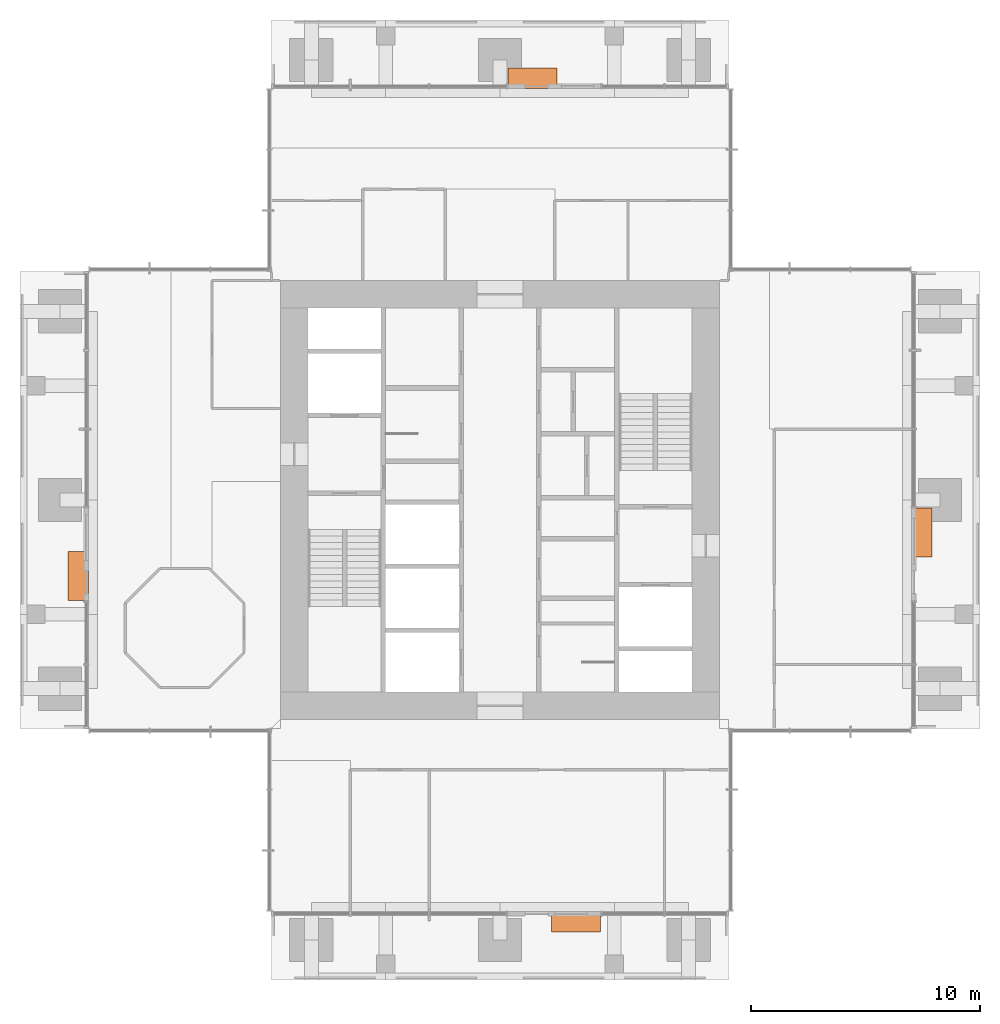
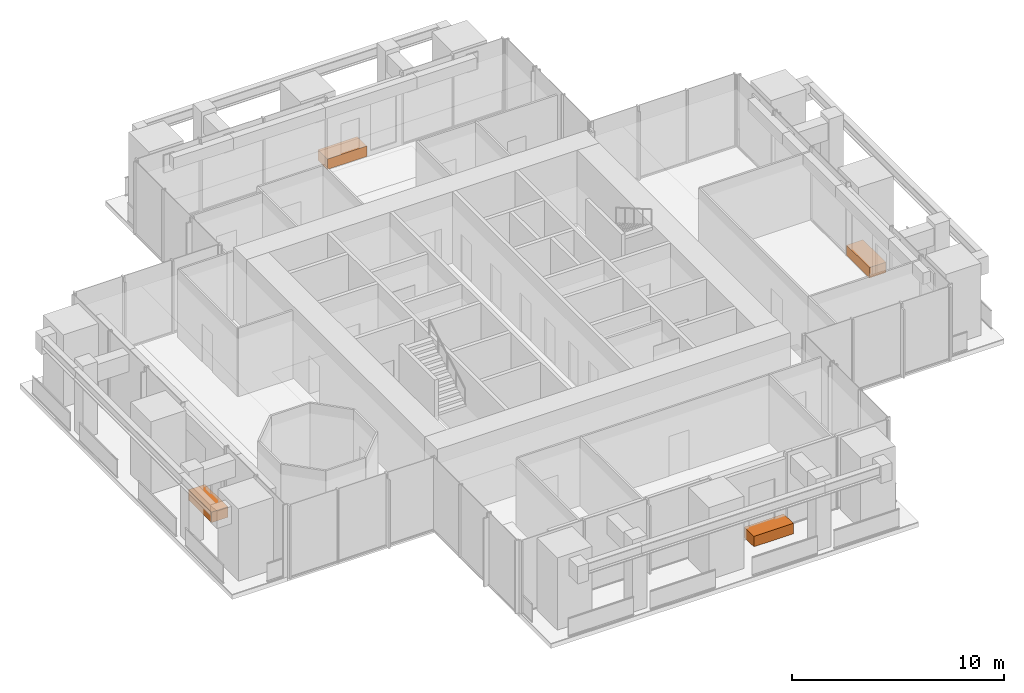
# One storey, part 12 of 12: 4 proxies.
"""IFC4 building model written with IfcOpenShell, lengths in metres."""

from ifc_helpers import new_model, si_unit, direction, frame, origin, origin_2d, place, context, subcontext, project, spatial, rectangle, extrude, element, save


model = new_model("IFC4")

# Units and contexts
model_context = context("Model", 3, precision=1e-05, world=origin(), true_north=direction((0.0, 1.0)))
body_context = subcontext(model_context, "Body", "Model", "MODEL_VIEW")
ifc_project = project(units=[si_unit("LENGTHUNIT", "METRE"), si_unit("AREAUNIT", "SQUARE_METRE"), si_unit("VOLUMEUNIT", "CUBIC_METRE"), si_unit("PLANEANGLEUNIT", "RADIAN"), si_unit("MASSUNIT", "GRAM", prefix="KILO")], contexts=[model_context])

# Site, building, storey
site_placement = place(None, origin())
site = spatial("IfcSite", under=ifc_project, at=site_placement, CompositionType="ELEMENT")
building_placement = place(site_placement, origin())
building = spatial("IfcBuilding", under=site, at=building_placement, Name="Svetlomir Tower", CompositionType="ELEMENT")
storey_placement = place(building_placement, frame((0.0, 0.0, 269.199951171875)))
storey = spatial("IfcBuildingStorey", under=building, at=storey_placement, Name="L64", CompositionType="ELEMENT", Elevation=269.199951171875)

# Proxies
proxy_1_placement = place(storey_placement, frame((24.324951171875, 2.550048828125, 0.0400390625), z_axis=(0.0, 0.0, 1.0), x_axis=(1.0, 0.0, 0.0)))
element("IfcBuildingElementProxy", 1, at=proxy_1_placement, inside=storey, Name="Tree planter S L64", ObjectType="PLANTER", PredefinedType="USERDEFINED", context=body_context, shape_type="SweptSolid", body=[
    extrude(rectangle(XDim=2.14990234375, YDim=0.89990234375, at=origin_2d()), origin(), (0.0, 0.0, 1.0), 0.60009765625),
])
proxy_2_placement = place(storey_placement, frame((39.449951171875, 19.574951171875, 0.0400390625), z_axis=(0.0, 0.0, 1.0), x_axis=(1.0, 0.0, 0.0)))
element("IfcBuildingElementProxy", 2, at=proxy_2_placement, inside=storey, Name="Tree planter E L64", ObjectType="PLANTER", PredefinedType="USERDEFINED", context=body_context, shape_type="SweptSolid", body=[
    extrude(rectangle(XDim=0.89990234375, YDim=2.14990234375, at=origin_2d()), origin(), (0.0, 0.0, 1.0), 0.60009765625),
])
proxy_3_placement = place(storey_placement, frame((22.425048828125, 39.449951171875, 0.0400390625), z_axis=(0.0, 0.0, 1.0), x_axis=(1.0, 0.0, 0.0)))
element("IfcBuildingElementProxy", 3, at=proxy_3_placement, inside=storey, Name="Tree planter N L64", ObjectType="PLANTER", PredefinedType="USERDEFINED", context=body_context, shape_type="SweptSolid", body=[
    extrude(rectangle(XDim=2.14990234375, YDim=0.89990234375, at=origin_2d()), origin(), (0.0, 0.0, 1.0), 0.60009765625),
])
proxy_4_placement = place(storey_placement, frame((2.550048828125, 17.675048828125, 0.0400390625), z_axis=(0.0, 0.0, 1.0), x_axis=(1.0, 0.0, 0.0)))
element("IfcBuildingElementProxy", 4, at=proxy_4_placement, inside=storey, Name="Tree planter W L64", ObjectType="PLANTER", PredefinedType="USERDEFINED", context=body_context, shape_type="SweptSolid", body=[
    extrude(rectangle(XDim=0.89990234375, YDim=2.14990234375, at=origin_2d()), origin(), (0.0, 0.0, 1.0), 0.60009765625),
])

save(model, "model.ifc")
